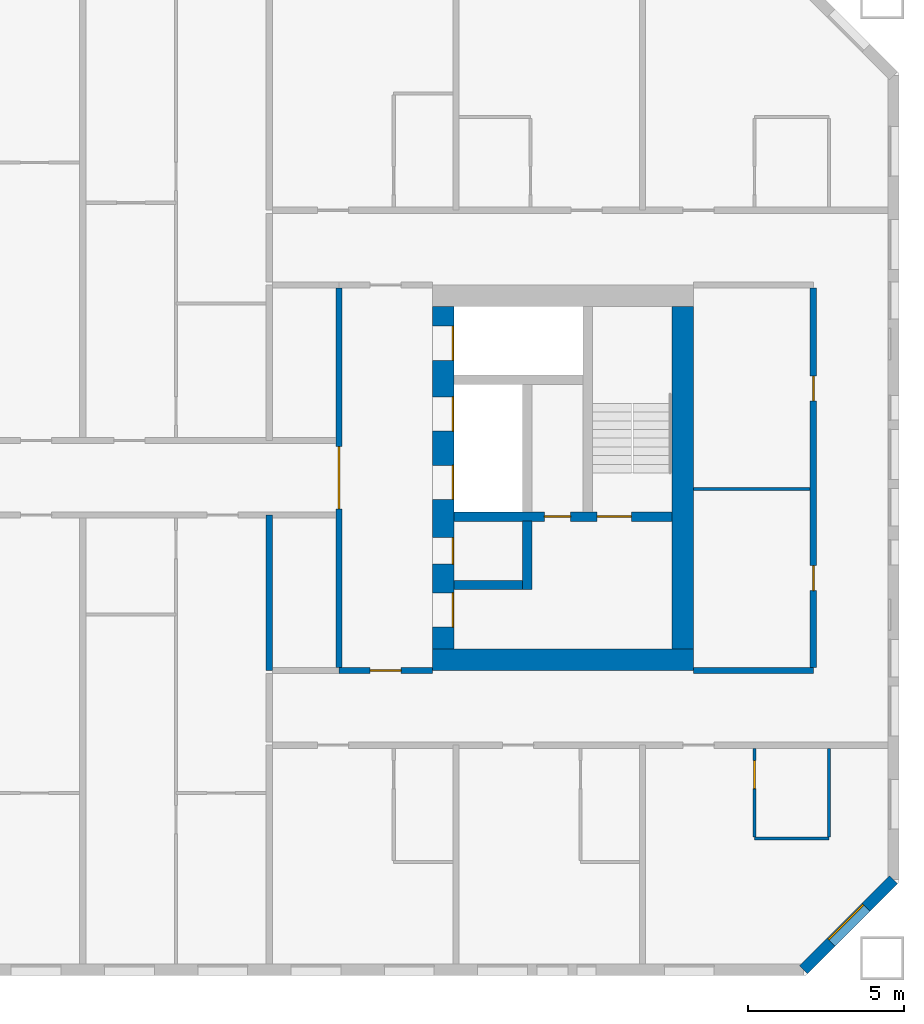
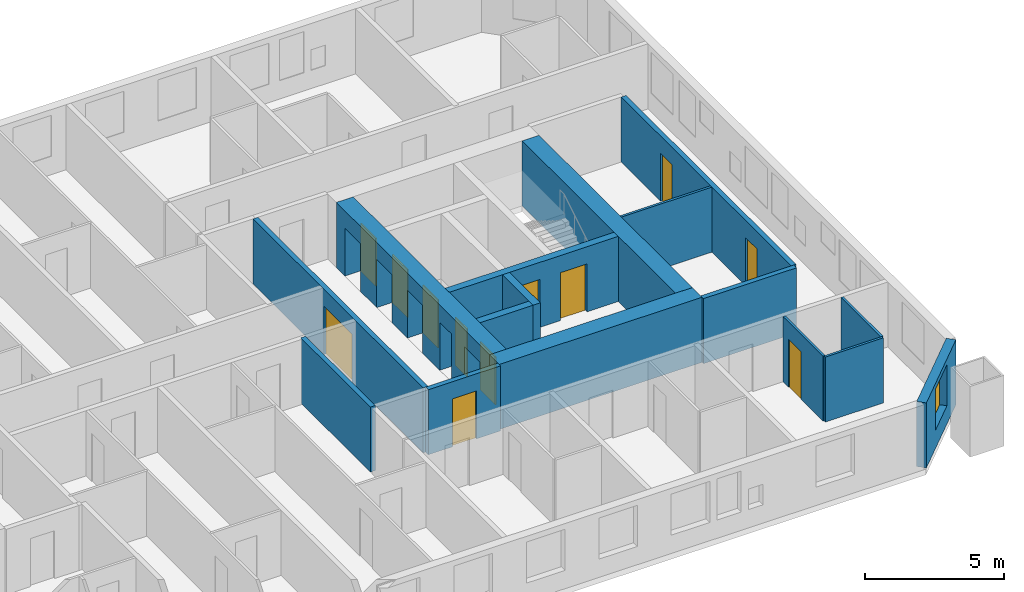
# One storey, part 12 of 17: 16 walls, 12 doors, 1 window, 13 openings.
"""IFC4 building model written with IfcOpenShell, lengths in metres."""

from ifc_helpers import new_model, si_unit, direction, frame, frame_2d, origin, place, context, subcontext, project, spatial, rectangle, extrude, material, layer, layer_set, type_object, element, fill, save


model = new_model("IFC4")

# Units and contexts
model_context = context("Model", 3, precision=1e-05, world=origin(), true_north=direction((0.0, 1.0)))
body_context = subcontext(model_context, "Body", "Model", "MODEL_VIEW")
ifc_project = project(units=[si_unit("LENGTHUNIT", "METRE"), si_unit("AREAUNIT", "SQUARE_METRE"), si_unit("VOLUMEUNIT", "CUBIC_METRE"), si_unit("PLANEANGLEUNIT", "RADIAN"), si_unit("MASSUNIT", "GRAM", prefix="KILO")], contexts=[model_context])

# Site, building, storey
site_placement = place(None, origin())
site = spatial("IfcSite", under=ifc_project, at=site_placement, CompositionType="ELEMENT")
building_placement = place(site_placement, origin())
building = spatial("IfcBuilding", under=site, at=building_placement, Name="Tuart Gate Housing", CompositionType="ELEMENT")
storey_placement = place(building_placement, frame((0.0, 0.0, 74.699951171875)))
storey = spatial("IfcBuildingStorey", under=building, at=storey_placement, Name="L20", CompositionType="ELEMENT", Elevation=74.699951171875)

# Wall, opening, window
ifc_material_1 = material(Name="Brick", Category="masonry")
ifc_layer_1 = layer(ifc_material_1, 0.360107421875)
ifc_layer_set_1 = layer_set([ifc_layer_1], Name="Brick pier and spandrel wall 360")
wall_type_1 = type_object("IfcWallType", Name="Brick pier and spandrel wall 360", PredefinedType="STANDARD", material=ifc_layer_set_1)
wall_1_placement = place(storey_placement, frame((172.17529296875, 54.179931640625, 0.0), z_axis=(0.0, 0.0, 1.0), x_axis=(0.707106781187, 0.707106781187, 0.0)))
wall_1 = element("IfcWall", 1, at=wall_1_placement, inside=storey, type_object=wall_type_1, Name="External wall B-SE L20", PredefinedType="STANDARD", context=body_context, shape_type="SweptSolid", body=[
    extrude(rectangle(XDim=4.09375, YDim=0.360107421875, at=frame_2d((2.046875, 0.0))), origin(), (0.0, 0.0, 1.0), 2.85009765625),
])
opening_1_placement = place(wall_1_placement, frame((1.2470703125, 0.0, 0.800048828125)))
opening_1 = element("IfcOpeningElement", 2, at=opening_1_placement, cuts=wall_1, Name="Opening W1", PredefinedType="OPENING", context=body_context, shape_type="SweptSolid", body=[
    extrude(rectangle(XDim=1.60009765625, YDim=1.800048828125, at=frame_2d((0.800048828125, 0.89990234375))), frame((0.0, 0.18994140625, 0.0), z_axis=(0.0, -1.0, 0.0), x_axis=(1.0, 0.0, 0.0)), (0.0, 0.0, 1.0), 0.380126953125),
])
ifc_material_2 = material(Name="Aluminium frame with clear glass", Category="aluminium")
window_type = type_object("IfcWindowType", Name="Punched window 1600 x 1800", PartitioningType="SINGLE_PANEL", PredefinedType="WINDOW", material=ifc_material_2)
window_placement = place(opening_1_placement, origin())
window = element("IfcWindow", 3, at=window_placement, inside=storey, type_object=window_type, Name="Window W1", OverallHeight=1.800048828125, OverallWidth=1.60009765625, PartitioningType="SINGLE_PANEL", PredefinedType="WINDOW", context=body_context, shape_type="SweptSolid", body=[
    extrude(rectangle(XDim=1.60009765625, YDim=1.800048828125, at=frame_2d((0.800048828125, 0.89990234375))), frame((0.0, 0.150146484375, 0.0), z_axis=(0.0, -1.0, 0.0), x_axis=(1.0, 0.0, 0.0)), (0.0, 0.0, 1.0), 0.06005859375),
])
fill(opening_1, window)

# Wall, openings, doors
ifc_material_3 = material(Name="Concrete C50", Category="concrete")
ifc_layer_2 = layer(ifc_material_3, 0.300048828125)
ifc_layer_set_2 = layer_set([ifc_layer_2], Name="Core wall 300 C50")
wall_type_2 = type_object("IfcWallType", Name="Core wall 300 C50", PredefinedType="SHEAR", material=ifc_layer_set_2)
wall_2_placement = place(storey_placement, frame((160.93994140625, 68.75, 0.0), z_axis=(0.0, 0.0, 1.0), x_axis=(1.0, 0.0, 0.0)))
wall_2 = element("IfcWall", 4, at=wall_2_placement, inside=storey, type_object=wall_type_2, Name="Core wall BK.2", PredefinedType="SHEAR", context=body_context, shape_type="SweptSolid", body=[
    extrude(rectangle(XDim=7.0, YDim=0.300048828125, at=frame_2d((3.5, 0.0))), origin(), (0.0, 0.0, 1.0), 2.85009765625),
])
opening_2_placement = place(wall_2_placement, frame((4.60009765625, 0.0, 0.0)))
opening_2 = element("IfcOpeningElement", 5, at=opening_2_placement, cuts=wall_2, Name="Opening D931", PredefinedType="OPENING", context=body_context, shape_type="SweptSolid", body=[
    extrude(rectangle(XDim=1.10009765625, YDim=2.10009765625, at=frame_2d((0.550048828125, 1.050048828125))), frame((0.0, 0.159912109375, 0.0), z_axis=(0.0, -1.0, 0.0), x_axis=(1.0, 0.0, 0.0)), (0.0, 0.0, 1.0), 0.320068359375),
])
opening_3_placement = place(wall_2_placement, frame((2.89990234375, 0.0, 0.0)))
opening_3 = element("IfcOpeningElement", 6, at=opening_3_placement, cuts=wall_2, Name="Opening D930", PredefinedType="OPENING", context=body_context, shape_type="SweptSolid", body=[
    extrude(rectangle(XDim=0.85009765625, YDim=2.10009765625, at=frame_2d((0.425048828125, 1.050048828125))), frame((0.0, 0.159912109375, 0.0), z_axis=(0.0, -1.0, 0.0), x_axis=(1.0, 0.0, 0.0)), (0.0, 0.0, 1.0), 0.320068359375),
])
ifc_material_4 = material(Name="Steel fire door", Category="steel")
door_type_1 = type_object("IfcDoorType", Name="Riser door 850 x 2100", OperationType="SINGLE_SWING_LEFT", PredefinedType="DOOR", material=ifc_material_4)
door_1_placement = place(opening_3_placement, origin())
door_1 = element("IfcDoor", 7, at=door_1_placement, inside=storey, type_object=door_type_1, Name="Service room door BK.W1", OperationType="SINGLE_SWING_LEFT", OverallHeight=2.10009765625, OverallWidth=0.85009765625, PredefinedType="DOOR", context=body_context, shape_type="SweptSolid", body=[
    extrude(rectangle(XDim=0.85009765625, YDim=2.10009765625, at=frame_2d((0.425048828125, 1.050048828125))), frame((0.0, 0.02490234375, 0.0), z_axis=(0.0, -1.0, 0.0), x_axis=(1.0, 0.0, 0.0)), (0.0, 0.0, 1.0), 0.050048828125),
])
fill(opening_3, door_1)
ifc_material_5 = material(Name="Steel fire door", Category="steel")
door_type_2 = type_object("IfcDoorType", Name="Stair door 1100 x 2100", OperationType="SINGLE_SWING_LEFT", PredefinedType="DOOR", material=ifc_material_5)
door_2_placement = place(opening_2_placement, origin())
door_2 = element("IfcDoor", 8, at=door_2_placement, inside=storey, type_object=door_type_2, Name="Stair door BK.SD", OperationType="SINGLE_SWING_LEFT", OverallHeight=2.10009765625, OverallWidth=1.10009765625, PredefinedType="DOOR", context=body_context, shape_type="SweptSolid", body=[
    extrude(rectangle(XDim=1.10009765625, YDim=2.10009765625, at=frame_2d((0.550048828125, 1.050048828125))), frame((0.0, 0.02490234375, 0.0), z_axis=(0.0, -1.0, 0.0), x_axis=(1.0, 0.0, 0.0)), (0.0, 0.0, 1.0), 0.050048828125),
])
fill(opening_2, door_2)

# Walls
wall_3_placement = place(storey_placement, frame((160.93994140625, 66.550048828125, 0.0), z_axis=(0.0, 0.0, 1.0), x_axis=(1.0, 0.0, 0.0)))
element("IfcWall", 9, at=wall_3_placement, inside=storey, type_object=wall_type_2, Name="Core wall BK.3", PredefinedType="SHEAR", context=body_context, shape_type="SweptSolid", body=[
    extrude(rectangle(XDim=2.199951171875, YDim=0.300048828125, at=frame_2d((1.10009765625, 0.0))), origin(), (0.0, 0.0, 1.0), 2.85009765625),
])
wall_4_placement = place(storey_placement, frame((163.2900390625, 68.60009765625, 0.0), z_axis=(0.0, 0.0, 1.0), x_axis=(0.0, -1.0, 0.0)))
element("IfcWall", 10, at=wall_4_placement, inside=storey, type_object=wall_type_2, Name="Core wall BK.5", PredefinedType="SHEAR", context=body_context, shape_type="SweptSolid", body=[
    extrude(rectangle(XDim=2.2001953125, YDim=0.300048828125, at=frame_2d((1.10009765625, 0.0))), origin(), (0.0, 0.0, 1.0), 2.85009765625),
])

# Wall, openings, doors
ifc_material_6 = material(Name="Concrete C50", Category="concrete")
ifc_layer_3 = layer(ifc_material_6, 0.699951171875)
ifc_layer_set_3 = layer_set([ifc_layer_3], Name="Core wall 700 C50")
wall_type_3 = type_object("IfcWallType", Name="Core wall 700 C50", PredefinedType="SHEAR", material=ifc_layer_set_3)
wall_5_placement = place(storey_placement, frame((160.590087890625, 75.5, 0.0), z_axis=(0.0, 0.0, 1.0), x_axis=(0.0, -1.0, 0.0)))
wall_5 = element("IfcWall", 11, at=wall_5_placement, inside=storey, type_object=wall_type_3, Name="Core wall BK front", PredefinedType="SHEAR", context=body_context, shape_type="SweptSolid", body=[
    extrude(rectangle(XDim=11.0, YDim=0.699951171875, at=frame_2d((5.5, 0.0))), origin(), (0.0, 0.0, 1.0), 2.85009765625),
])
opening_4_placement = place(wall_5_placement, frame((0.625, 0.0, 0.0)))
opening_4 = element("IfcOpeningElement", 12, at=opening_4_placement, cuts=wall_5, Name="Opening LD-FB2", PredefinedType="OPENING", context=body_context, shape_type="SweptSolid", body=[
    extrude(rectangle(XDim=1.10009765625, YDim=2.10009765625, at=frame_2d((0.550048828125, 1.050048828125))), frame((0.0, 0.35986328125, 0.0), z_axis=(0.0, -1.0, 0.0), x_axis=(1.0, 0.0, 0.0)), (0.0, 0.0, 1.0), 0.719970703125),
])
opening_5_placement = place(wall_5_placement, frame((2.89990234375, 0.0, 0.0)))
opening_5 = element("IfcOpeningElement", 13, at=opening_5_placement, cuts=wall_5, Name="Opening LD-LB3", PredefinedType="OPENING", context=body_context, shape_type="SweptSolid", body=[
    extrude(rectangle(XDim=1.10009765625, YDim=2.10009765625, at=frame_2d((0.550048828125, 1.050048828125))), frame((0.0, 0.35986328125, 0.0), z_axis=(0.0, -1.0, 0.0), x_axis=(1.0, 0.0, 0.0)), (0.0, 0.0, 1.0), 0.719970703125),
])
opening_6_placement = place(wall_5_placement, frame((5.10009765625, 0.0, 0.0)))
opening_6 = element("IfcOpeningElement", 14, at=opening_6_placement, cuts=wall_5, Name="Opening LD-LB4", PredefinedType="OPENING", context=body_context, shape_type="SweptSolid", body=[
    extrude(rectangle(XDim=1.10009765625, YDim=2.10009765625, at=frame_2d((0.550048828125, 1.050048828125))), frame((0.0, 0.35986328125, 0.0), z_axis=(0.0, -1.0, 0.0), x_axis=(1.0, 0.0, 0.0)), (0.0, 0.0, 1.0), 0.719970703125),
])
opening_7_placement = place(wall_5_placement, frame((9.199951171875, 0.0, 0.0)))
opening_7 = element("IfcOpeningElement", 15, at=opening_7_placement, cuts=wall_5, Name="Opening D923", PredefinedType="OPENING", context=body_context, shape_type="SweptSolid", body=[
    extrude(rectangle(XDim=1.10009765625, YDim=2.10009765625, at=frame_2d((0.550048828125, 1.050048828125))), frame((0.0, 0.35986328125, 0.0), z_axis=(0.0, -1.0, 0.0), x_axis=(1.0, 0.0, 0.0)), (0.0, 0.0, 1.0), 0.719970703125),
])
opening_8_placement = place(wall_5_placement, frame((7.425048828125, 0.0, 0.0)))
opening_8 = element("IfcOpeningElement", 16, at=opening_8_placement, cuts=wall_5, Name="Opening D924", PredefinedType="OPENING", context=body_context, shape_type="SweptSolid", body=[
    extrude(rectangle(XDim=0.85009765625, YDim=2.10009765625, at=frame_2d((0.425048828125, 1.050048828125))), frame((0.0, 0.35986328125, 0.0), z_axis=(0.0, -1.0, 0.0), x_axis=(1.0, 0.0, 0.0)), (0.0, 0.0, 1.0), 0.719970703125),
])
ifc_material_7 = material(Name="Stainless steel", Category="steel")
door_type_3 = type_object("IfcDoorType", Name="Landing door 1100 x 2100", OperationType="DOUBLE_DOOR_SLIDING", PredefinedType="DOOR", material=ifc_material_7)
door_3_placement = place(opening_4_placement, origin())
door_3 = element("IfcDoor", 17, at=door_3_placement, inside=storey, type_object=door_type_3, Name="Lift landing door FB2", OperationType="DOUBLE_DOOR_SLIDING", OverallHeight=2.10009765625, OverallWidth=1.10009765625, PredefinedType="DOOR", context=body_context, shape_type="SweptSolid", body=[
    extrude(rectangle(XDim=1.10009765625, YDim=2.10009765625, at=frame_2d((0.550048828125, 1.050048828125))), frame((0.0, 0.3349609375, 0.0), z_axis=(0.0, -1.0, 0.0), x_axis=(1.0, 0.0, 0.0)), (0.0, 0.0, 1.0), 0.050048828125),
])
fill(opening_4, door_3)
door_4_placement = place(opening_5_placement, origin())
door_4 = element("IfcDoor", 18, at=door_4_placement, inside=storey, type_object=door_type_3, Name="Lift landing door LB3", OperationType="DOUBLE_DOOR_SLIDING", OverallHeight=2.10009765625, OverallWidth=1.10009765625, PredefinedType="DOOR", context=body_context, shape_type="SweptSolid", body=[
    extrude(rectangle(XDim=1.10009765625, YDim=2.10009765625, at=frame_2d((0.550048828125, 1.050048828125))), frame((0.0, 0.3349609375, 0.0), z_axis=(0.0, -1.0, 0.0), x_axis=(1.0, 0.0, 0.0)), (0.0, 0.0, 1.0), 0.050048828125),
])
fill(opening_5, door_4)
door_5_placement = place(opening_6_placement, origin())
door_5 = element("IfcDoor", 19, at=door_5_placement, inside=storey, type_object=door_type_3, Name="Lift landing door LB4", OperationType="DOUBLE_DOOR_SLIDING", OverallHeight=2.10009765625, OverallWidth=1.10009765625, PredefinedType="DOOR", context=body_context, shape_type="SweptSolid", body=[
    extrude(rectangle(XDim=1.10009765625, YDim=2.10009765625, at=frame_2d((0.550048828125, 1.050048828125))), frame((0.0, 0.3349609375, 0.0), z_axis=(0.0, -1.0, 0.0), x_axis=(1.0, 0.0, 0.0)), (0.0, 0.0, 1.0), 0.050048828125),
])
fill(opening_6, door_5)
ifc_material_8 = material(Name="Steel fire door", Category="steel")
door_type_4 = type_object("IfcDoorType", Name="Lobby door 1100 x 2100", OperationType="SINGLE_SWING_LEFT", PredefinedType="DOOR", material=ifc_material_8)
door_6_placement = place(opening_7_placement, origin())
door_6 = element("IfcDoor", 20, at=door_6_placement, inside=storey, type_object=door_type_4, Name="Lobby entry door BK.EN", OperationType="SINGLE_SWING_LEFT", OverallHeight=2.10009765625, OverallWidth=1.10009765625, PredefinedType="DOOR", context=body_context, shape_type="SweptSolid", body=[
    extrude(rectangle(XDim=1.10009765625, YDim=2.10009765625, at=frame_2d((0.550048828125, 1.050048828125))), frame((0.0, 0.3349609375, 0.0), z_axis=(0.0, -1.0, 0.0), x_axis=(1.0, 0.0, 0.0)), (0.0, 0.0, 1.0), 0.050048828125),
])
fill(opening_7, door_6)
ifc_material_9 = material(Name="Steel fire door", Category="steel")
door_type_5 = type_object("IfcDoorType", Name="Service door 850 x 2100", OperationType="SINGLE_SWING_LEFT", PredefinedType="DOOR", material=ifc_material_9)
door_7_placement = place(opening_8_placement, origin())
door_7 = element("IfcDoor", 21, at=door_7_placement, inside=storey, type_object=door_type_5, Name="Service room door BK.T1", OperationType="SINGLE_SWING_LEFT", OverallHeight=2.10009765625, OverallWidth=0.85009765625, PredefinedType="DOOR", context=body_context, shape_type="SweptSolid", body=[
    extrude(rectangle(XDim=0.85009765625, YDim=2.10009765625, at=frame_2d((0.425048828125, 1.050048828125))), frame((0.0, 0.3349609375, 0.0), z_axis=(0.0, -1.0, 0.0), x_axis=(1.0, 0.0, 0.0)), (0.0, 0.0, 1.0), 0.050048828125),
])
fill(opening_8, door_7)

# Walls
wall_6_placement = place(storey_placement, frame((168.2900390625, 75.5, 0.0), z_axis=(0.0, 0.0, 1.0), x_axis=(0.0, -1.0, 0.0)))
element("IfcWall", 22, at=wall_6_placement, inside=storey, type_object=wall_type_3, Name="Core wall BK back", PredefinedType="SHEAR", context=body_context, shape_type="SweptSolid", body=[
    extrude(rectangle(XDim=11.0, YDim=0.699951171875, at=frame_2d((5.5, 0.0))), origin(), (0.0, 0.0, 1.0), 2.85009765625),
])
wall_7_placement = place(storey_placement, frame((160.239990234375, 64.14990234375, 0.0), z_axis=(0.0, 0.0, 1.0), x_axis=(1.0, 0.0, 0.0)))
element("IfcWall", 23, at=wall_7_placement, inside=storey, type_object=wall_type_3, Name="Core wall BK north", PredefinedType="SHEAR", context=body_context, shape_type="SweptSolid", body=[
    extrude(rectangle(XDim=8.39990234375, YDim=0.699951171875, at=frame_2d((4.199951171875, 0.0))), origin(), (0.0, 0.0, 1.0), 2.85009765625),
])
ifc_material_10 = material(Name="Concrete masonry 15 MPa", Category="masonry")
ifc_layer_4 = layer(ifc_material_10, 0.199951171875)
ifc_layer_set_4 = layer_set([ifc_layer_4], Name="Corridor wall masonry 200")
wall_type_4 = type_object("IfcWallType", Name="Corridor wall masonry 200", PredefinedType="PARTITIONING", material=ifc_layer_set_4)
wall_8_placement = place(storey_placement, frame((168.639892578125, 63.800048828125, 0.0), z_axis=(0.0, 0.0, 1.0), x_axis=(1.0, 0.0, 0.0)))
element("IfcWall", 24, at=wall_8_placement, inside=storey, type_object=wall_type_4, Name="Corridor wall masonry 200", PredefinedType="PARTITIONING", context=body_context, shape_type="SweptSolid", body=[
    extrude(rectangle(XDim=3.85009765625, YDim=0.199951171875, at=frame_2d((1.925048828125, 0.0))), origin(), (0.0, 0.0, 1.0), 2.85009765625),
])

# Wall, openings, doors
wall_9_placement = place(storey_placement, frame((172.489990234375, 63.89990234375, 0.0), z_axis=(0.0, 0.0, 1.0), x_axis=(0.0, 1.0, 0.0)))
wall_9 = element("IfcWall", 25, at=wall_9_placement, inside=storey, type_object=wall_type_4, Name="Corridor wall masonry 200", PredefinedType="PARTITIONING", context=body_context, shape_type="SweptSolid", body=[
    extrude(rectangle(XDim=12.2001953125, YDim=0.199951171875, at=frame_2d((6.10009765625, 0.0))), origin(), (0.0, 0.0, 1.0), 2.85009765625),
])
opening_9_placement = place(wall_9_placement, frame((2.469970703125, 0.0, 0.0)))
opening_9 = element("IfcOpeningElement", 26, at=opening_9_placement, cuts=wall_9, Name="Opening D925", PredefinedType="OPENING", context=body_context, shape_type="SweptSolid", body=[
    extrude(rectangle(XDim=0.800048828125, YDim=2.10009765625, at=frame_2d((0.39990234375, 1.050048828125))), frame((0.0, 0.10986328125, 0.0), z_axis=(0.0, -1.0, 0.0), x_axis=(1.0, 0.0, 0.0)), (0.0, 0.0, 1.0), 0.219970703125),
])
opening_10_placement = place(wall_9_placement, frame((8.570068359375, 0.0, 0.0)))
opening_10 = element("IfcOpeningElement", 27, at=opening_10_placement, cuts=wall_9, Name="Opening D926", PredefinedType="OPENING", context=body_context, shape_type="SweptSolid", body=[
    extrude(rectangle(XDim=0.800048828125, YDim=2.10009765625, at=frame_2d((0.39990234375, 1.050048828125))), frame((0.0, 0.10986328125, 0.0), z_axis=(0.0, -1.0, 0.0), x_axis=(1.0, 0.0, 0.0)), (0.0, 0.0, 1.0), 0.219970703125),
])
ifc_material_11 = material(Name="Timber door leaf in steel frame", Category="steel")
door_type_6 = type_object("IfcDoorType", Name="Store door 800", OperationType="SINGLE_SWING_LEFT", PredefinedType="DOOR", material=ifc_material_11)
door_8_placement = place(opening_10_placement, origin())
door_8 = element("IfcDoor", 28, at=door_8_placement, inside=storey, type_object=door_type_6, Name="Store door", OperationType="SINGLE_SWING_LEFT", OverallHeight=2.10009765625, OverallWidth=0.800048828125, PredefinedType="DOOR", context=body_context, shape_type="SweptSolid", body=[
    extrude(rectangle(XDim=0.800048828125, YDim=2.10009765625, at=frame_2d((0.39990234375, 1.050048828125))), frame((0.0, 0.02490234375, 0.0), z_axis=(0.0, -1.0, 0.0), x_axis=(1.0, 0.0, 0.0)), (0.0, 0.0, 1.0), 0.050048828125),
])
fill(opening_10, door_8)
ifc_material_12 = material(Name="Timber door leaf in steel frame", Category="steel")
door_type_7 = type_object("IfcDoorType", Name="Store door 800 RH", OperationType="SINGLE_SWING_RIGHT", PredefinedType="DOOR", material=ifc_material_12)
door_9_placement = place(opening_9_placement, origin())
door_9 = element("IfcDoor", 29, at=door_9_placement, inside=storey, type_object=door_type_7, Name="Store door", OperationType="SINGLE_SWING_RIGHT", OverallHeight=2.10009765625, OverallWidth=0.800048828125, PredefinedType="DOOR", context=body_context, shape_type="SweptSolid", body=[
    extrude(rectangle(XDim=0.800048828125, YDim=2.10009765625, at=frame_2d((0.39990234375, 1.050048828125))), frame((0.0, 0.02490234375, 0.0), z_axis=(0.0, -1.0, 0.0), x_axis=(1.0, 0.0, 0.0)), (0.0, 0.0, 1.0), 0.050048828125),
])
fill(opening_9, door_9)

# Wall, opening, door
ifc_material_13 = material(Name="Concrete masonry 15 MPa", Category="masonry")
ifc_layer_5 = layer(ifc_material_13, 0.199951171875)
ifc_layer_set_5 = layer_set([ifc_layer_5], Name="Enclosure wall masonry 200")
wall_type_5 = type_object("IfcWallType", Name="Enclosure wall masonry 200", PredefinedType="PARTITIONING", material=ifc_layer_set_5)
wall_10_placement = place(storey_placement, frame((157.239990234375, 63.800048828125, 0.0), z_axis=(0.0, 0.0, 1.0), x_axis=(1.0, 0.0, 0.0)))
wall_10 = element("IfcWall", 30, at=wall_10_placement, inside=storey, type_object=wall_type_5, Name="Enclosure wall masonry 200", PredefinedType="PARTITIONING", context=body_context, shape_type="SweptSolid", body=[
    extrude(rectangle(XDim=3.0, YDim=0.199951171875, at=frame_2d((1.5, 0.0))), origin(), (0.0, 0.0, 1.0), 2.85009765625),
])
opening_11_placement = place(wall_10_placement, frame((1.0, 0.0, 0.0)))
opening_11 = element("IfcOpeningElement", 31, at=opening_11_placement, cuts=wall_10, Name="Opening D933", PredefinedType="OPENING", context=body_context, shape_type="SweptSolid", body=[
    extrude(rectangle(XDim=1.0, YDim=2.10009765625, at=frame_2d((0.5, 1.050048828125))), frame((0.0, 0.10986328125, 0.0), z_axis=(0.0, -1.0, 0.0), x_axis=(1.0, 0.0, 0.0)), (0.0, 0.0, 1.0), 0.219970703125),
])
ifc_material_14 = material(Name="Timber door leaf in steel frame", Category="steel")
door_type_8 = type_object("IfcDoorType", Name="Fire door 1000 RH", OperationType="SINGLE_SWING_RIGHT", PredefinedType="DOOR", material=ifc_material_14)
door_10_placement = place(opening_11_placement, frame((1.0, 0.0, 0.0), z_axis=(0.0, 0.0, 1.0), x_axis=(-1.0, 0.0, 0.0)))
door_10 = element("IfcDoor", 32, at=door_10_placement, inside=storey, type_object=door_type_8, Name="Fire door", OperationType="SINGLE_SWING_RIGHT", OverallHeight=2.10009765625, OverallWidth=1.0, PredefinedType="DOOR", context=body_context, shape_type="SweptSolid", body=[
    extrude(rectangle(XDim=1.0, YDim=2.10009765625, at=frame_2d((0.5, 1.050048828125))), frame((0.0, 0.025146484375, 0.0), z_axis=(0.0, -1.0, 0.0), x_axis=(1.0, 0.0, 0.0)), (0.0, 0.0, 1.0), 0.050048828125),
])
fill(opening_11, door_10)

ifc_material_15 = material(Name="Plasterboard partition")
ifc_layer_6 = layer(ifc_material_15, 0.199951171875)
ifc_layer_set_6 = layer_set([ifc_layer_6], Name="Lobby wall 200")
wall_type_6 = type_object("IfcWallType", Name="Lobby wall 200", PredefinedType="PARTITIONING", material=ifc_layer_set_6)
wall_11_placement = place(storey_placement, frame((157.239990234375, 63.89990234375, 0.0), z_axis=(0.0, 0.0, 1.0), x_axis=(0.0, 1.0, 0.0)))
wall_11 = element("IfcWall", 33, at=wall_11_placement, inside=storey, type_object=wall_type_6, Name="Lift lobby wall BK", PredefinedType="PARTITIONING", context=body_context, shape_type="SweptSolid", body=[
    extrude(rectangle(XDim=12.2001953125, YDim=0.199951171875, at=frame_2d((6.10009765625, 0.0))), origin(), (0.0, 0.0, 1.0), 2.85009765625),
])
opening_12_placement = place(wall_11_placement, frame((5.10009765625, 0.0, 0.0)))
opening_12 = element("IfcOpeningElement", 34, at=opening_12_placement, cuts=wall_11, Name="Opening D922", PredefinedType="OPENING", context=body_context, shape_type="SweptSolid", body=[
    extrude(rectangle(XDim=2.0, YDim=2.10009765625, at=frame_2d((1.0, 1.050048828125))), frame((0.0, 0.10986328125, 0.0), z_axis=(0.0, -1.0, 0.0), x_axis=(1.0, 0.0, 0.0)), (0.0, 0.0, 1.0), 0.219970703125),
])
ifc_material_16 = material(Name="Steel fire door", Category="steel")
door_type_9 = type_object("IfcDoorType", Name="Smoke door 2000 x 2100", OperationType="DOUBLE_DOOR_SINGLE_SWING", PredefinedType="DOOR", material=ifc_material_16)
door_11_placement = place(opening_12_placement, frame((2.0, 0.0, 0.0), z_axis=(0.0, 0.0, 1.0), x_axis=(-1.0, 0.0, 0.0)))
door_11 = element("IfcDoor", 35, at=door_11_placement, inside=storey, type_object=door_type_9, Name="Lift lobby smoke door BK", OperationType="DOUBLE_DOOR_SINGLE_SWING", OverallHeight=2.10009765625, OverallWidth=2.0, PredefinedType="DOOR", context=body_context, shape_type="SweptSolid", body=[
    extrude(rectangle(XDim=2.0, YDim=2.10009765625, at=frame_2d((1.0, 1.050048828125))), frame((0.0, 0.025146484375, 0.0), z_axis=(0.0, -1.0, 0.0), x_axis=(1.0, 0.0, 0.0)), (0.0, 0.0, 1.0), 0.050048828125),
])
fill(opening_12, door_11)

# Walls
ifc_material_17 = material(Name="Gypsum board on steel studs", Category="steel")
ifc_layer_7 = layer(ifc_material_17, 0.10009765625)
ifc_layer_set_7 = layer_set([ifc_layer_7], Name="Partition 100")
wall_type_7 = type_object("IfcWallType", Name="Partition 100", PredefinedType="PARTITIONING", material=ifc_layer_set_7)
wall_12_placement = place(storey_placement, frame((170.60009765625, 58.39990234375, 0.0), z_axis=(0.0, 0.0, 1.0), x_axis=(1.0, 0.0, 0.0)))
element("IfcWall", 36, at=wall_12_placement, inside=storey, type_object=wall_type_7, Name="Partition 100", PredefinedType="PARTITIONING", context=body_context, shape_type="SweptSolid", body=[
    extrude(rectangle(XDim=2.39990234375, YDim=0.10009765625, at=frame_2d((1.199951171875, 0.0))), origin(), (0.0, 0.0, 1.0), 2.85009765625),
])
wall_13_placement = place(storey_placement, frame((168.639892578125, 69.639892578125, 0.0), z_axis=(0.0, 0.0, 1.0), x_axis=(1.0, 0.0, 0.0)))
element("IfcWall", 37, at=wall_13_placement, inside=storey, type_object=wall_type_7, Name="Partition 100", PredefinedType="PARTITIONING", context=body_context, shape_type="SweptSolid", body=[
    extrude(rectangle(XDim=3.75, YDim=0.10009765625, at=frame_2d((1.875, 0.0))), origin(), (0.0, 0.0, 1.0), 2.85009765625),
])

# Wall, opening, door
wall_14_placement = place(storey_placement, frame((170.60009765625, 58.449951171875, 0.0), z_axis=(0.0, 0.0, 1.0), x_axis=(0.0, 1.0, 0.0)))
wall_14 = element("IfcWall", 38, at=wall_14_placement, inside=storey, type_object=wall_type_7, Name="Partition 100", PredefinedType="PARTITIONING", context=body_context, shape_type="SweptSolid", body=[
    extrude(rectangle(XDim=2.85009765625, YDim=0.10009765625, at=frame_2d((1.425048828125, 0.0))), origin(), (0.0, 0.0, 1.0), 2.85009765625),
])
opening_13_placement = place(wall_14_placement, frame((1.550048828125, 0.0, 0.0)))
opening_13 = element("IfcOpeningElement", 39, at=opening_13_placement, cuts=wall_14, Name="Opening D943", PredefinedType="OPENING", context=body_context, shape_type="SweptSolid", body=[
    extrude(rectangle(XDim=0.89990234375, YDim=2.10009765625, at=frame_2d((0.449951171875, 1.050048828125))), frame((0.0, 0.06005859375, 0.0), z_axis=(0.0, -1.0, 0.0), x_axis=(1.0, 0.0, 0.0)), (0.0, 0.0, 1.0), 0.1201171875),
])
ifc_material_18 = material(Name="Timber door leaf in steel frame", Category="steel")
door_type_10 = type_object("IfcDoorType", Name="Bathroom door 900", OperationType="SINGLE_SWING_LEFT", PredefinedType="DOOR", material=ifc_material_18)
door_12_placement = place(opening_13_placement, frame((0.89990234375, 0.0, 0.0), z_axis=(0.0, 0.0, 1.0), x_axis=(-1.0, 0.0, 0.0)))
door_12 = element("IfcDoor", 40, at=door_12_placement, inside=storey, type_object=door_type_10, Name="Bathroom door", OperationType="SINGLE_SWING_LEFT", OverallHeight=2.10009765625, OverallWidth=0.89990234375, PredefinedType="DOOR", context=body_context, shape_type="SweptSolid", body=[
    extrude(rectangle(XDim=0.89990234375, YDim=2.10009765625, at=frame_2d((0.449951171875, 1.050048828125))), frame((0.0, 0.025146484375, 0.0), z_axis=(0.0, -1.0, 0.0), x_axis=(1.0, 0.0, 0.0)), (0.0, 0.0, 1.0), 0.050048828125),
])
fill(opening_13, door_12)

# Walls
wall_15_placement = place(storey_placement, frame((173.0, 58.449951171875, 0.0), z_axis=(0.0, 0.0, 1.0), x_axis=(0.0, 1.0, 0.0)))
element("IfcWall", 41, at=wall_15_placement, inside=storey, type_object=wall_type_7, Name="Partition 100", PredefinedType="PARTITIONING", context=body_context, shape_type="SweptSolid", body=[
    extrude(rectangle(XDim=2.85009765625, YDim=0.10009765625, at=frame_2d((1.425048828125, 0.0))), origin(), (0.0, 0.0, 1.0), 2.85009765625),
])
ifc_material_19 = material(Name="Concrete C40", Category="concrete")
ifc_layer_8 = layer(ifc_material_19, 0.199951171875)
ifc_layer_set_8 = layer_set([ifc_layer_8], Name="Party wall concrete C40 200")
wall_type_8 = type_object("IfcWallType", Name="Party wall concrete C40 200", PredefinedType="SOLIDWALL", material=ifc_layer_set_8)
wall_16_placement = place(storey_placement, frame((155.0, 63.800048828125, 0.0), z_axis=(0.0, 0.0, 1.0), x_axis=(0.0, 1.0, 0.0)))
element("IfcWall", 42, at=wall_16_placement, inside=storey, type_object=wall_type_8, Name="Party wall concrete C40 200", PredefinedType="SOLIDWALL", context=body_context, shape_type="SweptSolid", body=[
    extrude(rectangle(XDim=5.0, YDim=0.199951171875, at=frame_2d((2.5, 0.0))), origin(), (0.0, 0.0, 1.0), 2.85009765625),
])

save(model, "model.ifc")
